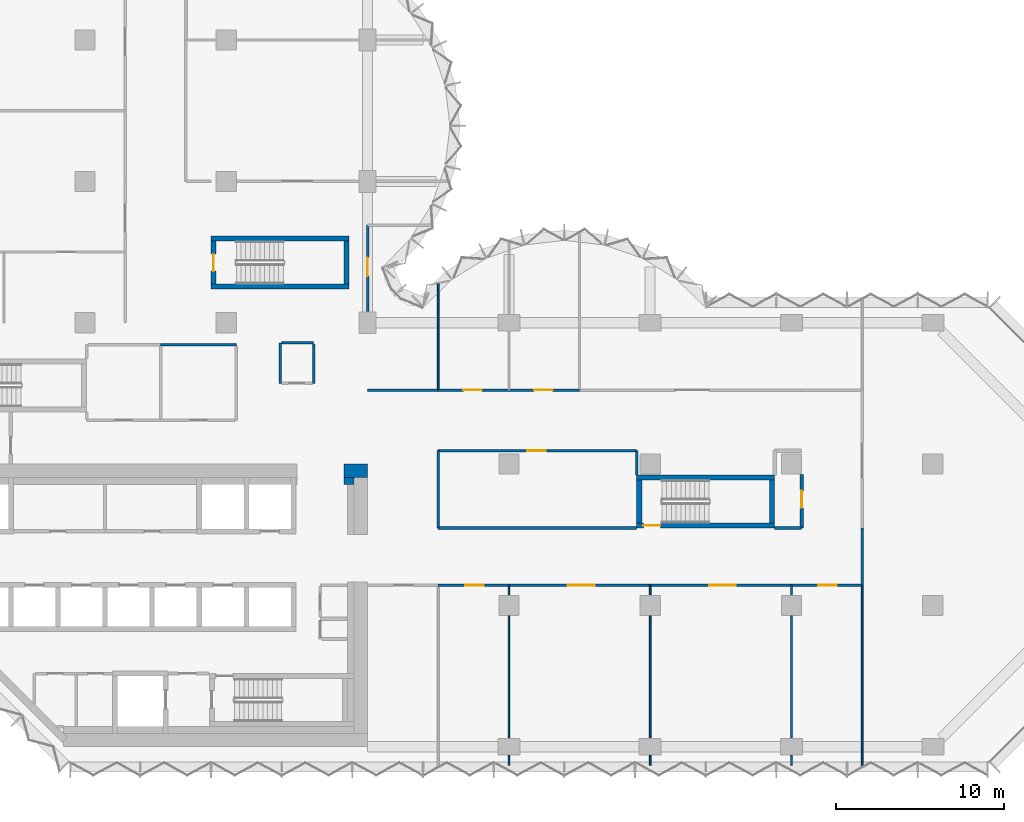
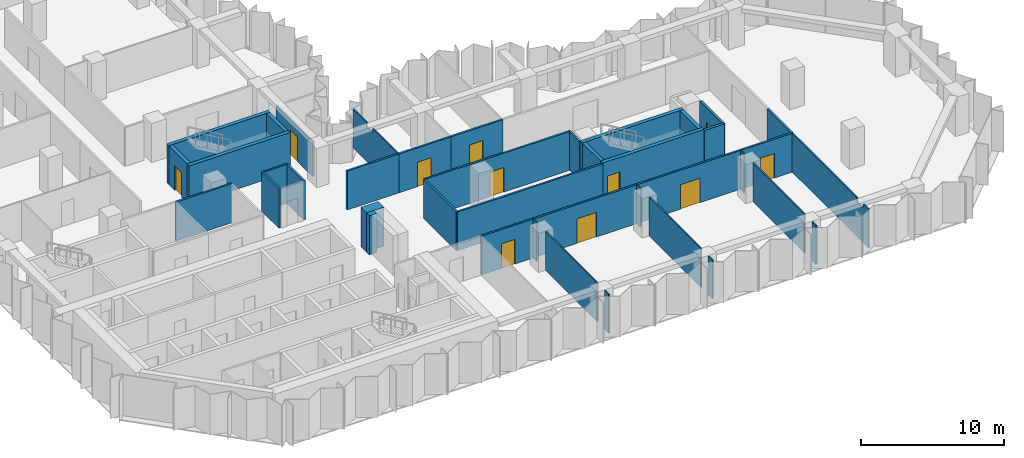
# One storey, part 9 of 13: 40 walls, 11 doors, 11 openings.
"""IFC4 building model written with IfcOpenShell, lengths in metres."""

import ifcopenshell
import ifcopenshell.guid

model = None  # the IFC model being written
_history = None  # IfcOwnerHistory: only IFC2X3 demands one
_inside = {}  # id of a spatial element -> (the spatial element, [elements in it])
_under = {}  # id of a project, library or spatial element -> (it, [spatial elements below it])
_declared = {}  # id of a project -> (the project, [libraries it declares])
_typed = {}  # id of a type object -> (the type object, [elements of that type])
_made_of = {}  # id of a material, layer set ... -> (it, [elements and type objects made of it])


def new_model(schema):
    """Start an empty IFC model of exactly this schema.

    Asked for "IFC4X3", IfcOpenShell would pick the latest addendum, in which some entities
    have other attributes; the version numbers below select the first issue.
    IFC2X3 requires an IfcOwnerHistory on every rooted entity: one is made here for all.
    """
    global model, _history
    if schema == "IFC4X3":
        model = ifcopenshell.file(schema_version=(4, 3, 0, 0))
    else:
        model = ifcopenshell.file(schema=schema)
    _inside.clear()
    _under.clear()
    _declared.clear()
    _typed.clear()
    _made_of.clear()
    _history = None
    if model.schema == "IFC2X3":
        org = make("IfcOrganization", Name="unknown")
        user = make(
            "IfcPersonAndOrganization",
            ThePerson=make("IfcPerson", FamilyName="unknown"),
            TheOrganization=org,
        )
        app = make(
            "IfcApplication",
            ApplicationDeveloper=org,
            Version="unknown",
            ApplicationFullName="unknown",
            ApplicationIdentifier="unknown",
        )
        _history = make(
            "IfcOwnerHistory",
            OwningUser=user,
            OwningApplication=app,
            ChangeAction="ADDED",
            CreationDate=0,
        )
    return model


def make(cls, **values):
    """One entity of the class cls with the attributes given. An attribute that is None is left unset."""
    return model.create_entity(
        cls, **{name: value for name, value in values.items() if value is not None}
    )


def rooted(cls, **values):
    """An entity with a GlobalId (a new one), such as an element, a storey or a relation."""
    return make(cls, GlobalId=ifcopenshell.guid.new(), OwnerHistory=_history, **values)


def si_unit(unit_type, name, prefix=None):
    """IfcSIUnit, for example si_unit("LENGTHUNIT", "METRE", prefix="MILLI")."""
    return make("IfcSIUnit", UnitType=unit_type, Prefix=prefix, Name=name)


def assignment(units):
    """IfcUnitAssignment: the units of a project."""
    return None if units is None else make("IfcUnitAssignment", Units=units)


def point(xyz):
    """IfcCartesianPoint."""
    return None if xyz is None else make("IfcCartesianPoint", Coordinates=xyz)


def direction(xyz):
    """IfcDirection."""
    return None if xyz is None else make("IfcDirection", DirectionRatios=xyz)


def frame(location, z_axis=None, x_axis=None):
    """IfcAxis2Placement3D, a coordinate frame: its origin and axes. An axis left out is left unset."""
    return make(
        "IfcAxis2Placement3D",
        Location=point(location),
        Axis=direction(z_axis),
        RefDirection=direction(x_axis),
    )


def frame_2d(location, x_axis=None):
    """IfcAxis2Placement2D, a coordinate frame in the plane: its origin and x axis."""
    return make(
        "IfcAxis2Placement2D", Location=point(location), RefDirection=direction(x_axis)
    )


def origin():
    """The frame at (0, 0, 0) with its axes left unset."""
    return frame((0.0, 0.0, 0.0))


def place(relative_to, where):
    """IfcLocalPlacement: puts the frame where relative to a parent placement (None: the world)."""
    return make(
        "IfcLocalPlacement", PlacementRelTo=relative_to, RelativePlacement=where
    )


def context(
    kind, dimensions, precision=None, world=None, true_north=None, identifier=None
):
    """IfcGeometricRepresentationContext, for example the 3D "Model" context."""
    return make(
        "IfcGeometricRepresentationContext",
        ContextIdentifier=identifier,
        ContextType=kind,
        CoordinateSpaceDimension=dimensions,
        Precision=precision,
        WorldCoordinateSystem=world,
        TrueNorth=true_north,
    )


def subcontext(parent, identifier, kind, view, scale=None):
    """IfcGeometricRepresentationSubContext, for example "Body" below "Model"."""
    return make(
        "IfcGeometricRepresentationSubContext",
        ContextIdentifier=identifier,
        ContextType=kind,
        ParentContext=parent,
        TargetScale=scale,
        TargetView=view,
    )


def project(units=None, contexts=None):
    """IfcProject with its units and contexts."""
    return rooted(
        "IfcProject",
        Name="project",
        RepresentationContexts=contexts,
        UnitsInContext=assignment(units),
    )


def spatial(cls, under=None, at=None, **own):
    """A site, building, storey or space (cls), placed at a placement, below another one or the project."""
    s = rooted(cls, ObjectPlacement=at, **own)
    if under is not None:
        _under.setdefault(under.id(), (under, []))[1].append(s)
    return s


def polyline(points):
    """IfcPolyline through the points."""
    return make("IfcPolyline", Points=[point(p) for p in points])


def profile(cls, at=None, kind="AREA", **sizes):
    """A parametric profile (cls). Its sizes go by their IFC names, for example OverallWidth=200.0."""
    return make(cls, ProfileType=kind, Position=at, **sizes)


def rectangle(**sizes):
    """IfcRectangleProfileDef."""
    return profile("IfcRectangleProfileDef", **sizes)


def outline(outer, holes=None, kind="AREA"):
    """IfcArbitraryClosedProfileDef: a profile drawn as a closed curve; with holes, ...WithVoids."""
    if holes is None:
        return make("IfcArbitraryClosedProfileDef", ProfileType=kind, OuterCurve=outer)
    return make(
        "IfcArbitraryProfileDefWithVoids",
        ProfileType=kind,
        OuterCurve=outer,
        InnerCurves=holes,
    )


def extrude(swept, where, along, depth):
    """IfcExtrudedAreaSolid: the profile swept, set in the frame where, extruded along a direction by depth."""
    return make(
        "IfcExtrudedAreaSolid",
        SweptArea=swept,
        Position=where,
        ExtrudedDirection=direction(along),
        Depth=depth,
    )


def shape(context_of_items, identifier, shape_type, items):
    """IfcShapeRepresentation: the items that make up one representation, for example the "Body"."""
    return make(
        "IfcShapeRepresentation",
        ContextOfItems=context_of_items,
        RepresentationIdentifier=identifier,
        RepresentationType=shape_type,
        Items=items,
    )


def material(Name=None, Category=None):
    """IfcMaterial."""
    return make("IfcMaterial", Name=Name, Category=Category)


def layer(
    of_material, thickness, ventilated=None, Name=None, Category=None, Priority=None
):
    """IfcMaterialLayer: one layer of a wall or slab, of a material (None: an air gap)."""
    return make(
        "IfcMaterialLayer",
        Material=of_material,
        LayerThickness=thickness,
        IsVentilated=ventilated,
        Name=Name,
        Category=Category,
        Priority=Priority,
    )


def layer_set(layers, Name=None):
    """IfcMaterialLayerSet."""
    return make("IfcMaterialLayerSet", MaterialLayers=layers, LayerSetName=Name)


def made_of(thing, what):
    """Note that an element or type object is made of a material, layer set ...; save() writes the relation."""
    if what is not None:
        _made_of.setdefault(what.id(), (what, []))[1].append(thing)
    return thing


def type_object(cls, material=None, **own):
    """A type object (cls), such as IfcWallType, which elements share."""
    return made_of(rooted(cls, **own), material)


def element(
    cls,
    number,
    at=None,
    inside=None,
    cuts=None,
    type_object=None,
    material=None,
    context=None,
    identifier="Body",
    shape_type=None,
    held_by="IfcProductDefinitionShape",
    body=None,
    shapes=None,
    **own,
):
    """One element of the class cls, such as IfcWall. Its Tag is "e" and its number.

    at: its placement. inside: the storey or other place that contains it. cuts: it is an
    opening in that element (IfcRelVoidsElement). A single representation is given by context,
    identifier, shape_type and body (its items); several are given by shapes. held_by: the class
    of the entity that holds the representations. save() writes the other relations.
    """
    e = rooted(cls, Tag="e%d" % number, ObjectPlacement=at, **own)
    if body is not None:
        shapes = [shape(context, identifier, shape_type, body)]
    if shapes is not None:
        e.Representation = make(held_by, Representations=shapes)
    if inside is not None:
        _inside.setdefault(inside.id(), (inside, []))[1].append(e)
    if cuts is not None:
        rooted(
            "IfcRelVoidsElement", RelatingBuildingElement=cuts, RelatedOpeningElement=e
        )
    if type_object is not None:
        _typed.setdefault(type_object.id(), (type_object, []))[1].append(e)
    return made_of(e, material)


def fill(opening, filler):
    """IfcRelFillsElement: the door or window that sits in an opening."""
    return rooted(
        "IfcRelFillsElement",
        RelatingOpeningElement=opening,
        RelatedBuildingElement=filler,
    )


def aggregate(whole, parts):
    """IfcRelAggregates: a whole, such as a stair, and the parts it consists of."""
    return rooted("IfcRelAggregates", RelatingObject=whole, RelatedObjects=parts)


def save(model, path):
    """Write the relations noted so far, then the file.

    IfcRelAggregates (storeys below a building ...), IfcRelContainedInSpatialStructure (elements
    in a storey), IfcRelDefinesByType, IfcRelAssociatesMaterial and IfcRelDeclares: one each for
    every whole, place, type object, material and project.
    """
    for whole, parts in _under.values():
        aggregate(whole, parts)
    for where, things in _inside.values():
        rooted(
            "IfcRelContainedInSpatialStructure",
            RelatedElements=things,
            RelatingStructure=where,
        )
    for kind, things in _typed.values():
        rooted("IfcRelDefinesByType", RelatedObjects=things, RelatingType=kind)
    for what, things in _made_of.values():
        rooted("IfcRelAssociatesMaterial", RelatedObjects=things, RelatingMaterial=what)
    for by, libraries in _declared.values():
        rooted("IfcRelDeclares", RelatingContext=by, RelatedDefinitions=libraries)
    model.write(path)


model = new_model("IFC4")

# Units and contexts
model_context = context("Model", 3, precision=1e-05, world=origin(), true_north=direction((0.0, 1.0)))
body_context = subcontext(model_context, "Body", "Model", "MODEL_VIEW")
ifc_project = project(units=[si_unit("LENGTHUNIT", "METRE"), si_unit("AREAUNIT", "SQUARE_METRE"), si_unit("VOLUMEUNIT", "CUBIC_METRE"), si_unit("PLANEANGLEUNIT", "RADIAN"), si_unit("MASSUNIT", "GRAM", prefix="KILO")], contexts=[model_context])

# Site, building, storey
site_placement = place(None, origin())
site = spatial("IfcSite", under=ifc_project, at=site_placement, CompositionType="ELEMENT")
building_placement = place(site_placement, origin())
building = spatial("IfcBuilding", under=site, at=building_placement, Name="Brevane Broadcast Tower", CompositionType="ELEMENT")
storey_placement = place(building_placement, frame((0.0, 0.0, 113.300048828125)))
storey = spatial("IfcBuildingStorey", under=building, at=storey_placement, Name="L27", CompositionType="ELEMENT", Elevation=113.300048828125)

# Walls
ifc_material_1 = material(Name="Concrete C32/40", Category="concrete")
ifc_layer_1 = layer(ifc_material_1, 0.39990234375)
ifc_layer_set_1 = layer_set([ifc_layer_1], Name="Core chase wall 400 mm")
wall_type_1 = type_object("IfcWallType", Name="Core chase wall 400 mm", PredefinedType="PARTITIONING", material=ifc_layer_set_1)
wall_1_placement = place(storey_placement, frame((23.800048828125, 15.800048828125, 0.0), z_axis=(0.0, 0.0, 1.0), x_axis=(1.0, 0.0, 0.0)))
element("IfcWall", 1, at=wall_1_placement, inside=storey, type_object=wall_type_1, Name="L27 chase wall LN2", PredefinedType="PARTITIONING", context=body_context, shape_type="SweptSolid", body=[
    extrude(rectangle(XDim=0.599853515625, YDim=0.39990234375, at=frame_2d((0.2998046875, 0.0))), origin(), (0.0, 0.0, 1.0), 3.349853515625),
])
ifc_material_2 = material(Name="Gypsum board on steel studs", Category="steel")
ifc_layer_2 = layer(ifc_material_2, 0.14990234375)
ifc_layer_set_2 = layer_set([ifc_layer_2], Name="Core fire partition 150 mm")
wall_type_2 = type_object("IfcWallType", Name="Core fire partition 150 mm", PredefinedType="PARTITIONING", material=ifc_layer_set_2)
wall_2_placement = place(storey_placement, frame((12.89990234375, 23.89990234375, 0.0), z_axis=(0.0, 0.0, 1.0), x_axis=(1.0, 0.0, 0.0)))
element("IfcWall", 2, at=wall_2_placement, inside=storey, type_object=wall_type_2, Name="L27 partition wall P19", PredefinedType="PARTITIONING", context=body_context, shape_type="SweptSolid", body=[
    extrude(rectangle(XDim=4.5, YDim=0.14990234375, at=frame_2d((2.25, 0.0))), origin(), (0.0, 0.0, 1.0), 3.349853515625),
])
wall_3_placement = place(storey_placement, frame((20.0, 21.60009765625, 0.0), z_axis=(0.0, 0.0, 1.0), x_axis=(0.0, 1.0, 0.0)))
element("IfcWall", 3, at=wall_3_placement, inside=storey, type_object=wall_type_2, Name="L27 partition wall P25", PredefinedType="PARTITIONING", context=body_context, shape_type="SweptSolid", body=[
    extrude(rectangle(XDim=2.39990234375, YDim=0.14990234375, at=frame_2d((1.199951171875, 0.0))), origin(), (0.0, 0.0, 1.0), 3.349853515625),
])
wall_4_placement = place(storey_placement, frame((20.074951171875, 24.0, 0.0), z_axis=(0.0, 0.0, 1.0), x_axis=(1.0, 0.0, 0.0)))
element("IfcWall", 4, at=wall_4_placement, inside=storey, type_object=wall_type_2, Name="L27 partition wall P26", PredefinedType="PARTITIONING", context=body_context, shape_type="SweptSolid", body=[
    extrude(rectangle(XDim=1.925048828125, YDim=0.14990234375, at=frame_2d((0.96240234375, 0.0))), origin(), (0.0, 0.0, 1.0), 3.349853515625),
])
wall_5_placement = place(storey_placement, frame((22.0, 23.925048828125, 0.0), z_axis=(0.0, 0.0, 1.0), x_axis=(0.0, -1.0, 0.0)))
element("IfcWall", 5, at=wall_5_placement, inside=storey, type_object=wall_type_2, Name="L27 partition wall P27", PredefinedType="PARTITIONING", context=body_context, shape_type="SweptSolid", body=[
    extrude(rectangle(XDim=2.324951171875, YDim=0.14990234375, at=frame_2d((1.16259765625, 0.0))), origin(), (0.0, 0.0, 1.0), 3.349853515625),
])
ifc_material_3 = material(Name="Concrete C60/75", Category="concrete")
ifc_layer_3 = layer(ifc_material_3, 0.300048828125)
ifc_layer_set_3 = layer_set([ifc_layer_3], Name="Core wall 300 mm C60/75")
wall_type_3 = type_object("IfcWallType", Name="Core wall 300 mm C60/75", PredefinedType="SHEAR", material=ifc_layer_set_3)
for number, where, z_axis, x_axis, name in (
    (6, (15.89990234375, 27.35009765625, 0.0), (0.0, 0.0, 1.0), (1.0, 0.0, 0.0), "L27 stair wall ST-3-S"),
    (7, (15.89990234375, 30.199951171875, 0.0), (0.0, 0.0, 1.0), (1.0, 0.0, 0.0), "L27 stair wall ST-3-N"),
):
    element("IfcWall", number, at=place(storey_placement, frame(where, z_axis=z_axis, x_axis=x_axis)), inside=storey, type_object=wall_type_3, Name=name, PredefinedType="SHEAR", context=body_context, shape_type="SweptSolid", body=[
        extrude(rectangle(XDim=8.2001953125, YDim=0.300048828125, at=frame_2d((4.10009765625, 0.0))), origin(), (0.0, 0.0, 1.0), 3.349853515625),
    ])

# Wall, opening, door
wall_6_placement = place(storey_placement, frame((16.050048828125, 27.5, 0.0), z_axis=(0.0, 0.0, 1.0), x_axis=(0.0, 1.0, 0.0)))
wall_6 = element("IfcWall", 8, at=wall_6_placement, inside=storey, type_object=wall_type_3, Name="L27 stair wall ST-3-W", PredefinedType="SHEAR", context=body_context, shape_type="SweptSolid", body=[
    extrude(rectangle(XDim=2.550048828125, YDim=0.300048828125, at=frame_2d((1.27490234375, 0.0))), origin(), (0.0, 0.0, 1.0), 3.349853515625),
])
opening_1_placement = place(wall_6_placement, frame((0.77490234375, 0.0, 0.0)))
opening_1 = element("IfcOpeningElement", 9, at=opening_1_placement, cuts=wall_6, Name="Opening L27-K14", PredefinedType="OPENING", context=body_context, shape_type="SweptSolid", body=[
    extrude(rectangle(XDim=1.0, YDim=2.10009765625, at=frame_2d((0.5, 1.050048828125))), frame((0.0, 0.159912109375, 0.0), z_axis=(0.0, -1.0, 0.0), x_axis=(1.0, 0.0, 0.0)), (0.0, 0.0, 1.0), 0.320068359375),
])
ifc_material_4 = material(Name="Steel", Category="steel")
door_type_1 = type_object("IfcDoorType", Name="Stair door 1000 x 2100", OperationType="SINGLE_SWING_LEFT", PredefinedType="DOOR", material=ifc_material_4)
door_1_placement = place(opening_1_placement, origin())
door_1 = element("IfcDoor", 10, at=door_1_placement, inside=storey, type_object=door_type_1, Name="Door L27-K14", OperationType="SINGLE_SWING_LEFT", OverallHeight=2.10009765625, OverallWidth=1.0, PredefinedType="DOOR", context=body_context, shape_type="SweptSolid", body=[
    extrude(rectangle(XDim=1.0, YDim=2.10009765625, at=frame_2d((0.5, 1.050048828125))), frame((0.0, 0.02490234375, 0.0), z_axis=(0.0, -1.0, 0.0), x_axis=(1.0, 0.0, 0.0)), (0.0, 0.0, 1.0), 0.050048828125),
])
fill(opening_1, door_1)

# Wall
wall_7_placement = place(storey_placement, frame((23.949951171875, 27.5, 0.0), z_axis=(0.0, 0.0, 1.0), x_axis=(0.0, 1.0, 0.0)))
element("IfcWall", 11, at=wall_7_placement, inside=storey, type_object=wall_type_3, Name="L27 stair wall ST-3-E", PredefinedType="SHEAR", context=body_context, shape_type="SweptSolid", body=[
    extrude(rectangle(XDim=2.550048828125, YDim=0.300048828125, at=frame_2d((1.27490234375, 0.0))), origin(), (0.0, 0.0, 1.0), 3.349853515625),
])

# Wall, opening, door
wall_8_placement = place(storey_placement, frame((49.39990234375, 13.14990234375, 0.0), z_axis=(0.0, 0.0, 1.0), x_axis=(-1.0, 0.0, 0.0)))
wall_8 = element("IfcWall", 12, at=wall_8_placement, inside=storey, type_object=wall_type_3, Name="L27 stair wall ST-4-S", PredefinedType="SHEAR", context=body_context, shape_type="SweptSolid", body=[
    extrude(rectangle(XDim=8.199951171875, YDim=0.300048828125, at=frame_2d((4.10009765625, 0.0))), origin(), (0.0, 0.0, 1.0), 3.349853515625),
])
opening_2_placement = place(wall_8_placement, frame((6.800048828125, 0.0, 0.0)))
opening_2 = element("IfcOpeningElement", 13, at=opening_2_placement, cuts=wall_8, Name="Opening L27-K15", PredefinedType="OPENING", context=body_context, shape_type="SweptSolid", body=[
    extrude(rectangle(XDim=1.0, YDim=2.10009765625, at=frame_2d((0.5, 1.050048828125))), frame((0.0, 0.159912109375, 0.0), z_axis=(0.0, -1.0, 0.0), x_axis=(1.0, 0.0, 0.0)), (0.0, 0.0, 1.0), 0.320068359375),
])
door_2_placement = place(opening_2_placement, origin())
door_2 = element("IfcDoor", 14, at=door_2_placement, inside=storey, type_object=door_type_1, Name="Door L27-K15", OperationType="SINGLE_SWING_RIGHT", OverallHeight=2.10009765625, OverallWidth=1.0, PredefinedType="DOOR", context=body_context, shape_type="SweptSolid", body=[
    extrude(rectangle(XDim=1.0, YDim=2.10009765625, at=frame_2d((0.5, 1.050048828125))), frame((0.0, 0.02490234375, 0.0), z_axis=(0.0, -1.0, 0.0), x_axis=(1.0, 0.0, 0.0)), (0.0, 0.0, 1.0), 0.050048828125),
])
fill(opening_2, door_2)

# Walls
wall_9_placement = place(storey_placement, frame((41.199951171875, 16.0, 0.0), z_axis=(0.0, 0.0, 1.0), x_axis=(1.0, 0.0, 0.0)))
element("IfcWall", 15, at=wall_9_placement, inside=storey, type_object=wall_type_3, Name="L27 stair wall ST-4-N", PredefinedType="SHEAR", context=body_context, shape_type="SweptSolid", body=[
    extrude(rectangle(XDim=8.199951171875, YDim=0.300048828125, at=frame_2d((4.10009765625, 0.0))), origin(), (0.0, 0.0, 1.0), 3.349853515625),
])
for number, where, z_axis, x_axis, name in (
    (16, (41.35009765625, 13.300048828125, 0.0), (0.0, 0.0, 1.0), (0.0, 1.0, 0.0), "L27 stair wall ST-4-W"),
    (17, (49.25, 13.300048828125, 0.0), (0.0, 0.0, 1.0), (0.0, 1.0, 0.0), "L27 stair wall ST-4-E"),
):
    element("IfcWall", number, at=place(storey_placement, frame(where, z_axis=z_axis, x_axis=x_axis)), inside=storey, type_object=wall_type_3, Name=name, PredefinedType="SHEAR", context=body_context, shape_type="SweptSolid", body=[
        extrude(rectangle(XDim=2.550048828125, YDim=0.300048828125, at=frame_2d((1.27490234375, 0.0))), origin(), (0.0, 0.0, 1.0), 3.349853515625),
    ])
ifc_layer_4 = layer(ifc_material_3, 0.800048828125)
ifc_layer_set_4 = layer_set([ifc_layer_4], Name="Core wall 800 mm C60/75")
wall_type_4 = type_object("IfcWallType", Name="Core wall 800 mm C60/75", PredefinedType="SHEAR", material=ifc_layer_set_4)
wall_10_placement = place(storey_placement, frame((23.800048828125, 16.39990234375, 0.0), z_axis=(0.0, 0.0, 1.0), x_axis=(1.0, 0.0, 0.0)))
element("IfcWall", 18, at=wall_10_placement, inside=storey, type_object=wall_type_4, Name="L27 outer wall WN2", PredefinedType="SHEAR", context=body_context, shape_type="SweptSolid", body=[
    extrude(rectangle(XDim=1.39990234375, YDim=0.800048828125, at=frame_2d((0.699951171875, 0.0))), origin(), (0.0, 0.0, 1.0), 3.349853515625),
])
ifc_material_5 = material(Name="Gypsum board partition")
ifc_layer_5 = layer(ifc_material_5, 0.10009765625)
ifc_layer_set_5 = layer_set([ifc_layer_5], Name="PARTITION 100 STUD")
wall_type_5 = type_object("IfcWallType", Name="PARTITION 100 STUD", PredefinedType="PARTITIONING", material=ifc_layer_set_5)
wall_11_placement = place(storey_placement, frame((29.39990234375, 27.510986328125, 0.0), z_axis=(0.0, 0.0, 1.0), x_axis=(0.0, -1.0, 0.0)))
element("IfcWall", 19, at=wall_11_placement, inside=storey, type_object=wall_type_5, Name="Partition G08-004", PredefinedType="PARTITIONING", context=body_context, shape_type="SweptSolid", body=[
    extrude(outline(polyline([(0.0, 0.0), (6.31103515625, 0.0), (6.31103515625, 3.329833984375), (2.760986328125, 3.329833984375), (2.759033203125, 2.97998046875), (1.863037109375, 2.97998046875), (1.861083984375, 3.329833984375), (0.236083984375, 3.329833984375), (0.0, 3.329833984375), (0.0, 0.0)])), frame((0.0, 0.050048828125, 0.0), z_axis=(0.0, -1.0, 0.0), x_axis=(1.0, 0.0, 0.0)), (0.0, 0.0, 1.0), 0.10009765625),
])
wall_12_placement = place(storey_placement, frame((54.60009765625, -1.174072265625, 0.0), z_axis=(0.0, 0.0, 1.0), x_axis=(0.0, 1.0, 0.0)))
element("IfcWall", 20, at=wall_12_placement, inside=storey, type_object=wall_type_5, Name="Partition G08-015", PredefinedType="PARTITIONING", context=body_context, shape_type="SweptSolid", body=[
    extrude(outline(polyline([(0.0, 0.0), (10.774169921875, 0.0), (10.77392578125, 3.329833984375), (1.6240234375, 3.329833984375), (1.6220703125, 2.97998046875), (0.72607421875, 2.97998046875), (0.72412109375, 3.329833984375), (0.073974609375, 3.329833984375), (0.0, 3.329833984375), (0.0, 0.0)])), frame((0.0, 0.050048828125, 0.0), z_axis=(0.0, -1.0, 0.0), x_axis=(1.0, 0.0, 0.0)), (0.0, 0.0, 1.0), 0.10009765625),
])
wall_13_placement = place(storey_placement, frame((33.60009765625, 9.60009765625, 0.0), z_axis=(0.0, 0.0, 1.0), x_axis=(0.0, -1.0, 0.0)))
element("IfcWall", 21, at=wall_13_placement, inside=storey, type_object=wall_type_5, Name="Partition G08-027", PredefinedType="PARTITIONING", context=body_context, shape_type="SweptSolid", body=[
    extrude(rectangle(XDim=0.580078125, YDim=0.10009765625, at=frame_2d((0.2900390625, 0.0))), origin(), (0.0, 0.0, 1.0), 3.329833984375),
])
wall_14_placement = place(storey_placement, frame((33.60009765625, 7.780029296875, 0.0), z_axis=(0.0, 0.0, 1.0), x_axis=(0.0, -1.0, 0.0)))
element("IfcWall", 22, at=wall_14_placement, inside=storey, type_object=wall_type_5, Name="Partition G08-028", PredefinedType="PARTITIONING", context=body_context, shape_type="SweptSolid", body=[
    extrude(rectangle(XDim=7.260009765625, YDim=0.10009765625, at=frame_2d((3.6298828125, 0.0))), origin(), (0.0, 0.0, 1.0), 3.329833984375),
])
for number, where, z_axis, x_axis, name in (
    (23, (33.60009765625, -0.52001953125, 0.0), (0.0, 0.0, 1.0), (0.0, -1.0, 0.0), "Partition G08-029"),
    (24, (42.0, 9.60009765625, 0.0), (0.0, 0.0, 1.0), (0.0, -1.0, 0.0), "Partition G08-030"),
):
    element("IfcWall", number, at=place(storey_placement, frame(where, z_axis=z_axis, x_axis=x_axis)), inside=storey, type_object=wall_type_5, Name=name, PredefinedType="PARTITIONING", context=body_context, shape_type="SweptSolid", body=[
        extrude(rectangle(XDim=0.580078125, YDim=0.10009765625, at=frame_2d((0.2900390625, 0.0))), origin(), (0.0, 0.0, 1.0), 3.329833984375),
    ])
wall_15_placement = place(storey_placement, frame((42.0, 7.780029296875, 0.0), z_axis=(0.0, 0.0, 1.0), x_axis=(0.0, -1.0, 0.0)))
element("IfcWall", 25, at=wall_15_placement, inside=storey, type_object=wall_type_5, Name="Partition G08-031", PredefinedType="PARTITIONING", context=body_context, shape_type="SweptSolid", body=[
    extrude(rectangle(XDim=7.260009765625, YDim=0.10009765625, at=frame_2d((3.6298828125, 0.0))), origin(), (0.0, 0.0, 1.0), 3.329833984375),
])
for number, where, z_axis, x_axis, name in (
    (26, (42.0, -0.52001953125, 0.0), (0.0, 0.0, 1.0), (0.0, -1.0, 0.0), "Partition G08-032"),
    (27, (50.39990234375, 9.60009765625, 0.0), (0.0, 0.0, 1.0), (0.0, -1.0, 0.0), "Partition G08-033"),
):
    element("IfcWall", number, at=place(storey_placement, frame(where, z_axis=z_axis, x_axis=x_axis)), inside=storey, type_object=wall_type_5, Name=name, PredefinedType="PARTITIONING", context=body_context, shape_type="SweptSolid", body=[
        extrude(rectangle(XDim=0.580078125, YDim=0.10009765625, at=frame_2d((0.2900390625, 0.0))), origin(), (0.0, 0.0, 1.0), 3.329833984375),
    ])
wall_16_placement = place(storey_placement, frame((50.39990234375, 7.780029296875, 0.0), z_axis=(0.0, 0.0, 1.0), x_axis=(0.0, -1.0, 0.0)))
element("IfcWall", 28, at=wall_16_placement, inside=storey, type_object=wall_type_5, Name="Partition G08-034", PredefinedType="PARTITIONING", context=body_context, shape_type="SweptSolid", body=[
    extrude(rectangle(XDim=7.260009765625, YDim=0.10009765625, at=frame_2d((3.6298828125, 0.0))), origin(), (0.0, 0.0, 1.0), 3.329833984375),
])
wall_17_placement = place(storey_placement, frame((50.39990234375, -0.52001953125, 0.0), z_axis=(0.0, 0.0, 1.0), x_axis=(0.0, -1.0, 0.0)))
element("IfcWall", 29, at=wall_17_placement, inside=storey, type_object=wall_type_5, Name="Partition G08-035", PredefinedType="PARTITIONING", context=body_context, shape_type="SweptSolid", body=[
    extrude(rectangle(XDim=0.580078125, YDim=0.10009765625, at=frame_2d((0.2900390625, 0.0))), origin(), (0.0, 0.0, 1.0), 3.329833984375),
])
ifc_layer_6 = layer(ifc_material_5, 0.14990234375)
ifc_layer_set_6 = layer_set([ifc_layer_6], Name="PARTITION 150 EI 60")
wall_type_6 = type_object("IfcWallType", Name="PARTITION 150 EI 60", PredefinedType="PARTITIONING", material=ifc_layer_set_6)
wall_18_placement = place(storey_placement, frame((25.199951171875, 21.199951171875, 0.0), z_axis=(0.0, 0.0, 1.0), x_axis=(1.0, 0.0, 0.0)))
element("IfcWall", 30, at=wall_18_placement, inside=storey, type_object=wall_type_6, Name="Partition G08-001", PredefinedType="PARTITIONING", context=body_context, shape_type="SweptSolid", body=[
    extrude(rectangle(XDim=4.199951171875, YDim=0.14990234375, at=frame_2d((2.10009765625, 0.0))), origin(), (0.0, 0.0, 1.0), 3.329833984375),
])
wall_19_placement = place(storey_placement, frame((29.39990234375, 17.60009765625, 0.0), z_axis=(0.0, 0.0, 1.0), x_axis=(0.0, -1.0, 0.0)))
element("IfcWall", 31, at=wall_19_placement, inside=storey, type_object=wall_type_6, Name="Partition G08-002", PredefinedType="PARTITIONING", context=body_context, shape_type="SweptSolid", body=[
    extrude(rectangle(XDim=4.60009765625, YDim=0.14990234375, at=frame_2d((2.300048828125, 0.0))), origin(), (0.0, 0.0, 1.0), 3.329833984375),
])

# Wall, opening, door
wall_20_placement = place(storey_placement, frame((25.199951171875, 31.0, 0.0), z_axis=(0.0, 0.0, 1.0), x_axis=(0.0, -1.0, 0.0)))
wall_20 = element("IfcWall", 32, at=wall_20_placement, inside=storey, type_object=wall_type_6, Name="Partition G08-005", PredefinedType="PARTITIONING", context=body_context, shape_type="SweptSolid", body=[
    extrude(outline(polyline([(0.0, 0.0), (5.1298828125, 0.0), (5.1298828125, 2.97998046875), (0.0, 2.97998046875), (0.0, 0.0)])), frame((0.0, 0.074951171875, 0.0), z_axis=(0.0, -1.0, 0.0), x_axis=(1.0, 0.0, 0.0)), (0.0, 0.0, 1.0), 0.14990234375),
])
opening_3_placement = place(wall_20_placement, frame((1.929931640625, 0.0, 0.0)))
opening_3 = element("IfcOpeningElement", 33, at=opening_3_placement, cuts=wall_20, Name="Opening D15-001", PredefinedType="OPENING", context=body_context, shape_type="SweptSolid", body=[
    extrude(rectangle(XDim=1.10009765625, YDim=2.10009765625, at=frame_2d((0.550048828125, 1.050048828125))), frame((0.0, 0.0849609375, 0.0), z_axis=(0.0, -1.0, 0.0), x_axis=(1.0, 0.0, 0.0)), (0.0, 0.0, 1.0), 0.169921875),
])
ifc_material_6 = material(Name="Fire-rated timber door leaf", Category="wood")
door_type_2 = type_object("IfcDoorType", Name="DOOR SINGLE 1100 FD30S", OperationType="SINGLE_SWING_LEFT", PredefinedType="DOOR", material=ifc_material_6)
door_3_placement = place(opening_3_placement, origin())
door_3 = element("IfcDoor", 34, at=door_3_placement, inside=storey, type_object=door_type_2, Name="Door D15-001", OperationType="SINGLE_SWING_RIGHT", OverallHeight=2.10009765625, OverallWidth=1.10009765625, PredefinedType="DOOR", context=body_context, shape_type="SweptSolid", body=[
    extrude(rectangle(XDim=1.10009765625, YDim=2.10009765625, at=frame_2d((0.550048828125, 1.050048828125))), frame((0.0, 0.02490234375, 0.0), z_axis=(0.0, -1.0, 0.0), x_axis=(1.0, 0.0, 0.0)), (0.0, 0.0, 1.0), 0.050048828125),
])
fill(opening_3, door_3)

# Walls
wall_21_placement = place(storey_placement, frame((54.60009765625, 13.0, 0.0), z_axis=(0.0, 0.0, 1.0), x_axis=(0.0, -1.0, 0.0)))
element("IfcWall", 35, at=wall_21_placement, inside=storey, type_object=wall_type_6, Name="Partition G08-007", PredefinedType="PARTITIONING", context=body_context, shape_type="SweptSolid", body=[
    extrude(rectangle(XDim=3.39990234375, YDim=0.14990234375, at=frame_2d((1.699951171875, 0.0))), origin(), (0.0, 0.0, 1.0), 3.329833984375),
])
wall_22_placement = place(storey_placement, frame((29.39990234375, 13.0, 0.0), z_axis=(0.0, 0.0, 1.0), x_axis=(1.0, 0.0, 0.0)))
element("IfcWall", 36, at=wall_22_placement, inside=storey, type_object=wall_type_6, Name="Partition G08-008", PredefinedType="PARTITIONING", context=body_context, shape_type="SweptSolid", body=[
    extrude(rectangle(XDim=11.800048828125, YDim=0.14990234375, at=frame_2d((5.89990234375, 0.0))), origin(), (0.0, 0.0, 1.0), 3.329833984375),
])

# Wall, opening, door
wall_23_placement = place(storey_placement, frame((33.60009765625, 9.60009765625, 0.0), z_axis=(0.0, 0.0, 1.0), x_axis=(-1.0, 0.0, 0.0)))
wall_23 = element("IfcWall", 37, at=wall_23_placement, inside=storey, type_object=wall_type_6, Name="Partition G08-010", PredefinedType="PARTITIONING", context=body_context, shape_type="SweptSolid", body=[
    extrude(rectangle(XDim=4.2001953125, YDim=0.14990234375, at=frame_2d((2.10009765625, 0.0))), origin(), (0.0, 0.0, 1.0), 3.329833984375),
])
opening_4_placement = place(wall_23_placement, frame((1.5, 0.0, 0.0)))
opening_4 = element("IfcOpeningElement", 38, at=opening_4_placement, cuts=wall_23, Name="Opening D15-006", PredefinedType="OPENING", context=body_context, shape_type="SweptSolid", body=[
    extrude(rectangle(XDim=1.10009765625, YDim=2.10009765625, at=frame_2d((0.550048828125, 1.050048828125))), frame((0.0, 0.0849609375, 0.0), z_axis=(0.0, -1.0, 0.0), x_axis=(1.0, 0.0, 0.0)), (0.0, 0.0, 1.0), 0.169921875),
])
door_4_placement = place(opening_4_placement, origin())
door_4 = element("IfcDoor", 39, at=door_4_placement, inside=storey, type_object=door_type_2, Name="Door D15-006", OperationType="SINGLE_SWING_LEFT", OverallHeight=2.10009765625, OverallWidth=1.10009765625, PredefinedType="DOOR", context=body_context, shape_type="SweptSolid", body=[
    extrude(rectangle(XDim=1.10009765625, YDim=2.10009765625, at=frame_2d((0.550048828125, 1.050048828125))), frame((0.0, 0.02490234375, 0.0), z_axis=(0.0, -1.0, 0.0), x_axis=(1.0, 0.0, 0.0)), (0.0, 0.0, 1.0), 0.050048828125),
])
fill(opening_4, door_4)

wall_24_placement = place(storey_placement, frame((42.0, 9.60009765625, 0.0), z_axis=(0.0, 0.0, 1.0), x_axis=(-1.0, 0.0, 0.0)))
wall_24 = element("IfcWall", 40, at=wall_24_placement, inside=storey, type_object=wall_type_6, Name="Partition G08-011", PredefinedType="PARTITIONING", context=body_context, shape_type="SweptSolid", body=[
    extrude(rectangle(XDim=8.39990234375, YDim=0.14990234375, at=frame_2d((4.199951171875, 0.0))), origin(), (0.0, 0.0, 1.0), 3.329833984375),
])
opening_5_placement = place(wall_24_placement, frame((3.300048828125, 0.0, 0.0)))
opening_5 = element("IfcOpeningElement", 41, at=opening_5_placement, cuts=wall_24, Name="Opening D15-007", PredefinedType="OPENING", context=body_context, shape_type="SweptSolid", body=[
    extrude(rectangle(XDim=1.60009765625, YDim=2.10009765625, at=frame_2d((0.800048828125, 1.050048828125))), frame((0.0, 0.0849609375, 0.0), z_axis=(0.0, -1.0, 0.0), x_axis=(1.0, 0.0, 0.0)), (0.0, 0.0, 1.0), 0.169921875),
])
door_type_3 = type_object("IfcDoorType", Name="DOOR DOUBLE 1600 FD30S", OperationType="DOUBLE_DOOR_SINGLE_SWING", PredefinedType="DOOR", material=ifc_material_6)
door_5_placement = place(opening_5_placement, origin())
door_5 = element("IfcDoor", 42, at=door_5_placement, inside=storey, type_object=door_type_3, Name="Door D15-007", OperationType="DOUBLE_DOOR_SINGLE_SWING", OverallHeight=2.10009765625, OverallWidth=1.60009765625, PredefinedType="DOOR", context=body_context, shape_type="SweptSolid", body=[
    extrude(rectangle(XDim=1.60009765625, YDim=2.10009765625, at=frame_2d((0.800048828125, 1.050048828125))), frame((0.0, 0.02490234375, 0.0), z_axis=(0.0, -1.0, 0.0), x_axis=(1.0, 0.0, 0.0)), (0.0, 0.0, 1.0), 0.050048828125),
])
fill(opening_5, door_5)

wall_25_placement = place(storey_placement, frame((50.39990234375, 9.60009765625, 0.0), z_axis=(0.0, 0.0, 1.0), x_axis=(-1.0, 0.0, 0.0)))
wall_25 = element("IfcWall", 43, at=wall_25_placement, inside=storey, type_object=wall_type_6, Name="Partition G08-012", PredefinedType="PARTITIONING", context=body_context, shape_type="SweptSolid", body=[
    extrude(rectangle(XDim=8.39990234375, YDim=0.14990234375, at=frame_2d((4.199951171875, 0.0))), origin(), (0.0, 0.0, 1.0), 3.329833984375),
])
opening_6_placement = place(wall_25_placement, frame((3.300048828125, 0.0, 0.0)))
opening_6 = element("IfcOpeningElement", 44, at=opening_6_placement, cuts=wall_25, Name="Opening D15-008", PredefinedType="OPENING", context=body_context, shape_type="SweptSolid", body=[
    extrude(rectangle(XDim=1.60009765625, YDim=2.10009765625, at=frame_2d((0.800048828125, 1.050048828125))), frame((0.0, 0.0849609375, 0.0), z_axis=(0.0, -1.0, 0.0), x_axis=(1.0, 0.0, 0.0)), (0.0, 0.0, 1.0), 0.169921875),
])
door_6_placement = place(opening_6_placement, origin())
door_6 = element("IfcDoor", 45, at=door_6_placement, inside=storey, type_object=door_type_3, Name="Door D15-008", OperationType="DOUBLE_DOOR_SINGLE_SWING", OverallHeight=2.10009765625, OverallWidth=1.60009765625, PredefinedType="DOOR", context=body_context, shape_type="SweptSolid", body=[
    extrude(rectangle(XDim=1.60009765625, YDim=2.10009765625, at=frame_2d((0.800048828125, 1.050048828125))), frame((0.0, 0.02490234375, 0.0), z_axis=(0.0, -1.0, 0.0), x_axis=(1.0, 0.0, 0.0)), (0.0, 0.0, 1.0), 0.050048828125),
])
fill(opening_6, door_6)

wall_26_placement = place(storey_placement, frame((54.60009765625, 9.60009765625, 0.0), z_axis=(0.0, 0.0, 1.0), x_axis=(-1.0, 0.0, 0.0)))
wall_26 = element("IfcWall", 46, at=wall_26_placement, inside=storey, type_object=wall_type_6, Name="Partition G08-013", PredefinedType="PARTITIONING", context=body_context, shape_type="SweptSolid", body=[
    extrude(rectangle(XDim=4.2001953125, YDim=0.14990234375, at=frame_2d((2.10009765625, 0.0))), origin(), (0.0, 0.0, 1.0), 3.329833984375),
])
opening_7_placement = place(wall_26_placement, frame((1.5, 0.0, 0.0)))
opening_7 = element("IfcOpeningElement", 47, at=opening_7_placement, cuts=wall_26, Name="Opening D15-009", PredefinedType="OPENING", context=body_context, shape_type="SweptSolid", body=[
    extrude(rectangle(XDim=1.10009765625, YDim=2.10009765625, at=frame_2d((0.550048828125, 1.050048828125))), frame((0.0, 0.0849609375, 0.0), z_axis=(0.0, -1.0, 0.0), x_axis=(1.0, 0.0, 0.0)), (0.0, 0.0, 1.0), 0.169921875),
])
door_7_placement = place(opening_7_placement, origin())
door_7 = element("IfcDoor", 48, at=door_7_placement, inside=storey, type_object=door_type_2, Name="Door D15-009", OperationType="SINGLE_SWING_LEFT", OverallHeight=2.10009765625, OverallWidth=1.10009765625, PredefinedType="DOOR", context=body_context, shape_type="SweptSolid", body=[
    extrude(rectangle(XDim=1.10009765625, YDim=2.10009765625, at=frame_2d((0.550048828125, 1.050048828125))), frame((0.0, 0.02490234375, 0.0), z_axis=(0.0, -1.0, 0.0), x_axis=(1.0, 0.0, 0.0)), (0.0, 0.0, 1.0), 0.050048828125),
])
fill(opening_7, door_7)

# Wall
wall_27_placement = place(storey_placement, frame((41.199951171875, 16.14990234375, 0.0), z_axis=(0.0, 0.0, 1.0), x_axis=(0.0, 1.0, 0.0)))
element("IfcWall", 49, at=wall_27_placement, inside=storey, type_object=wall_type_6, Name="Partition G08-017", PredefinedType="PARTITIONING", context=body_context, shape_type="SweptSolid", body=[
    extrude(rectangle(XDim=1.4501953125, YDim=0.14990234375, at=frame_2d((0.72509765625, 0.0))), origin(), (0.0, 0.0, 1.0), 3.329833984375),
])

# Wall, opening, door
wall_28_placement = place(storey_placement, frame((41.199951171875, 17.60009765625, 0.0), z_axis=(0.0, 0.0, 1.0), x_axis=(-1.0, 0.0, 0.0)))
wall_28 = element("IfcWall", 50, at=wall_28_placement, inside=storey, type_object=wall_type_6, Name="Partition G08-018", PredefinedType="PARTITIONING", context=body_context, shape_type="SweptSolid", body=[
    extrude(rectangle(XDim=11.800048828125, YDim=0.14990234375, at=frame_2d((5.89990234375, 0.0))), origin(), (0.0, 0.0, 1.0), 3.329833984375),
])
opening_8_placement = place(wall_28_placement, frame((5.39990234375, 0.0, 0.0)))
opening_8 = element("IfcOpeningElement", 51, at=opening_8_placement, cuts=wall_28, Name="Opening D15-003", PredefinedType="OPENING", context=body_context, shape_type="SweptSolid", body=[
    extrude(rectangle(XDim=1.10009765625, YDim=2.10009765625, at=frame_2d((0.550048828125, 1.050048828125))), frame((0.0, 0.0849609375, 0.0), z_axis=(0.0, -1.0, 0.0), x_axis=(1.0, 0.0, 0.0)), (0.0, 0.0, 1.0), 0.169921875),
])
door_8_placement = place(opening_8_placement, origin())
door_8 = element("IfcDoor", 52, at=door_8_placement, inside=storey, type_object=door_type_2, Name="Door D15-003", OperationType="SINGLE_SWING_LEFT", OverallHeight=2.10009765625, OverallWidth=1.10009765625, PredefinedType="DOOR", context=body_context, shape_type="SweptSolid", body=[
    extrude(rectangle(XDim=1.10009765625, YDim=2.10009765625, at=frame_2d((0.550048828125, 1.050048828125))), frame((0.0, 0.02490234375, 0.0), z_axis=(0.0, -1.0, 0.0), x_axis=(1.0, 0.0, 0.0)), (0.0, 0.0, 1.0), 0.050048828125),
])
fill(opening_8, door_8)

wall_29_placement = place(storey_placement, frame((29.39990234375, 21.199951171875, 0.0), z_axis=(0.0, 0.0, 1.0), x_axis=(1.0, 0.0, 0.0)))
wall_29 = element("IfcWall", 53, at=wall_29_placement, inside=storey, type_object=wall_type_6, Name="Partition G08-021", PredefinedType="PARTITIONING", context=body_context, shape_type="SweptSolid", body=[
    extrude(rectangle(XDim=4.2001953125, YDim=0.14990234375, at=frame_2d((2.10009765625, 0.0))), origin(), (0.0, 0.0, 1.0), 3.329833984375),
])
opening_9_placement = place(wall_29_placement, frame((1.5, 0.0, 0.0)))
opening_9 = element("IfcOpeningElement", 54, at=opening_9_placement, cuts=wall_29, Name="Opening D15-010", PredefinedType="OPENING", context=body_context, shape_type="SweptSolid", body=[
    extrude(rectangle(XDim=1.10009765625, YDim=2.10009765625, at=frame_2d((0.550048828125, 1.050048828125))), frame((0.0, 0.0849609375, 0.0), z_axis=(0.0, -1.0, 0.0), x_axis=(1.0, 0.0, 0.0)), (0.0, 0.0, 1.0), 0.169921875),
])
door_9_placement = place(opening_9_placement, origin())
door_9 = element("IfcDoor", 55, at=door_9_placement, inside=storey, type_object=door_type_2, Name="Door D15-010", OperationType="SINGLE_SWING_LEFT", OverallHeight=2.10009765625, OverallWidth=1.10009765625, PredefinedType="DOOR", context=body_context, shape_type="SweptSolid", body=[
    extrude(rectangle(XDim=1.10009765625, YDim=2.10009765625, at=frame_2d((0.550048828125, 1.050048828125))), frame((0.0, 0.02490234375, 0.0), z_axis=(0.0, -1.0, 0.0), x_axis=(1.0, 0.0, 0.0)), (0.0, 0.0, 1.0), 0.050048828125),
])
fill(opening_9, door_9)

wall_30_placement = place(storey_placement, frame((33.60009765625, 21.199951171875, 0.0), z_axis=(0.0, 0.0, 1.0), x_axis=(1.0, 0.0, 0.0)))
wall_30 = element("IfcWall", 56, at=wall_30_placement, inside=storey, type_object=wall_type_6, Name="Partition G08-022", PredefinedType="PARTITIONING", context=body_context, shape_type="SweptSolid", body=[
    extrude(rectangle(XDim=4.199951171875, YDim=0.14990234375, at=frame_2d((2.10009765625, 0.0))), origin(), (0.0, 0.0, 1.0), 3.329833984375),
])
opening_10_placement = place(wall_30_placement, frame((1.5, 0.0, 0.0)))
opening_10 = element("IfcOpeningElement", 57, at=opening_10_placement, cuts=wall_30, Name="Opening D15-011", PredefinedType="OPENING", context=body_context, shape_type="SweptSolid", body=[
    extrude(rectangle(XDim=1.10009765625, YDim=2.10009765625, at=frame_2d((0.550048828125, 1.050048828125))), frame((0.0, 0.0849609375, 0.0), z_axis=(0.0, -1.0, 0.0), x_axis=(1.0, 0.0, 0.0)), (0.0, 0.0, 1.0), 0.169921875),
])
door_10_placement = place(opening_10_placement, origin())
door_10 = element("IfcDoor", 58, at=door_10_placement, inside=storey, type_object=door_type_2, Name="Door D15-011", OperationType="SINGLE_SWING_LEFT", OverallHeight=2.10009765625, OverallWidth=1.10009765625, PredefinedType="DOOR", context=body_context, shape_type="SweptSolid", body=[
    extrude(rectangle(XDim=1.10009765625, YDim=2.10009765625, at=frame_2d((0.550048828125, 1.050048828125))), frame((0.0, 0.02490234375, 0.0), z_axis=(0.0, -1.0, 0.0), x_axis=(1.0, 0.0, 0.0)), (0.0, 0.0, 1.0), 0.050048828125),
])
fill(opening_10, door_10)

# Wall
ifc_layer_7 = layer(ifc_material_5, 0.199951171875)
ifc_layer_set_7 = layer_set([ifc_layer_7], Name="PARTITION 200 EI 120")
wall_type_7 = type_object("IfcWallType", Name="PARTITION 200 EI 120", PredefinedType="PARTITIONING", material=ifc_layer_set_7)
wall_31_placement = place(storey_placement, frame((49.39990234375, 13.0, 0.0), z_axis=(0.0, 0.0, 1.0), x_axis=(1.0, 0.0, 0.0)))
element("IfcWall", 59, at=wall_31_placement, inside=storey, type_object=wall_type_7, Name="Partition G08-009", PredefinedType="PARTITIONING", context=body_context, shape_type="SweptSolid", body=[
    extrude(rectangle(XDim=1.60009765625, YDim=0.199951171875, at=frame_2d((0.800048828125, 0.0))), origin(), (0.0, 0.0, 1.0), 3.329833984375),
])

# Wall, opening, door
wall_32_placement = place(storey_placement, frame((51.0, 13.0, 0.0), z_axis=(0.0, 0.0, 1.0), x_axis=(0.0, 1.0, 0.0)))
wall_32 = element("IfcWall", 60, at=wall_32_placement, inside=storey, type_object=wall_type_7, Name="Partition G08-024", PredefinedType="PARTITIONING", context=body_context, shape_type="SweptSolid", body=[
    extrude(rectangle(XDim=3.179931640625, YDim=0.199951171875, at=frame_2d((1.58984375, 0.0))), origin(), (0.0, 0.0, 1.0), 3.329833984375),
])
opening_11_placement = place(wall_32_placement, frame((1.199951171875, 0.0, 0.0)))
opening_11 = element("IfcOpeningElement", 61, at=opening_11_placement, cuts=wall_32, Name="Opening D15-004", PredefinedType="OPENING", context=body_context, shape_type="SweptSolid", body=[
    extrude(rectangle(XDim=1.0, YDim=2.10009765625, at=frame_2d((0.5, 1.050048828125))), frame((0.0, 0.10986328125, 0.0), z_axis=(0.0, -1.0, 0.0), x_axis=(1.0, 0.0, 0.0)), (0.0, 0.0, 1.0), 0.219970703125),
])
door_type_4 = type_object("IfcDoorType", Name="DOOR SINGLE 1000 FD60", OperationType="SINGLE_SWING_LEFT", PredefinedType="DOOR", material=ifc_material_6)
door_11_placement = place(opening_11_placement, origin())
door_11 = element("IfcDoor", 62, at=door_11_placement, inside=storey, type_object=door_type_4, Name="Door D15-004", OperationType="SINGLE_SWING_LEFT", OverallHeight=2.10009765625, OverallWidth=1.0, PredefinedType="DOOR", context=body_context, shape_type="SweptSolid", body=[
    extrude(rectangle(XDim=1.0, YDim=2.10009765625, at=frame_2d((0.5, 1.050048828125))), frame((0.0, 0.02490234375, 0.0), z_axis=(0.0, -1.0, 0.0), x_axis=(1.0, 0.0, 0.0)), (0.0, 0.0, 1.0), 0.050048828125),
])
fill(opening_11, door_11)

save(model, "model.ifc")
